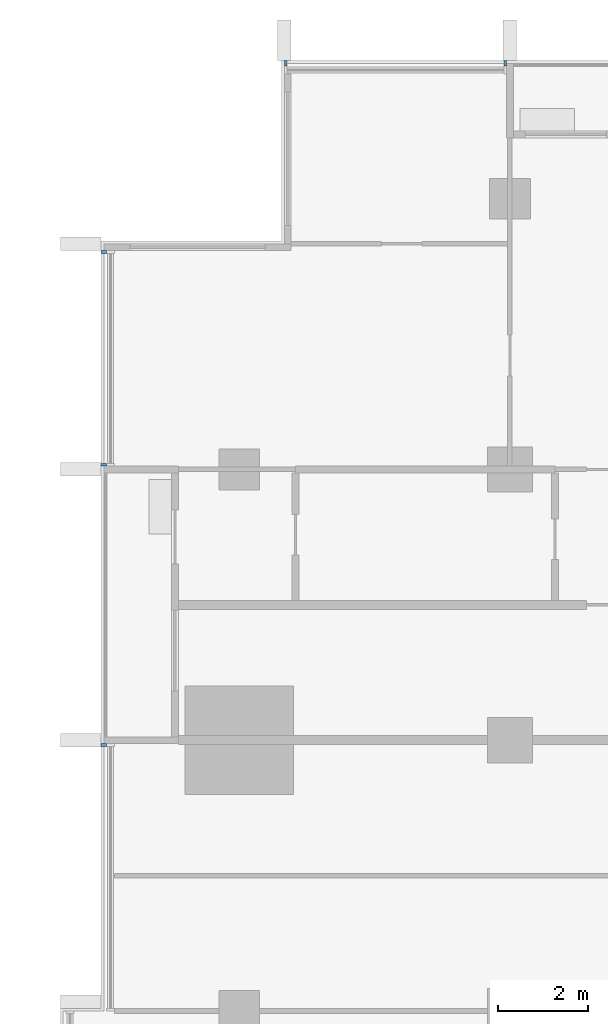
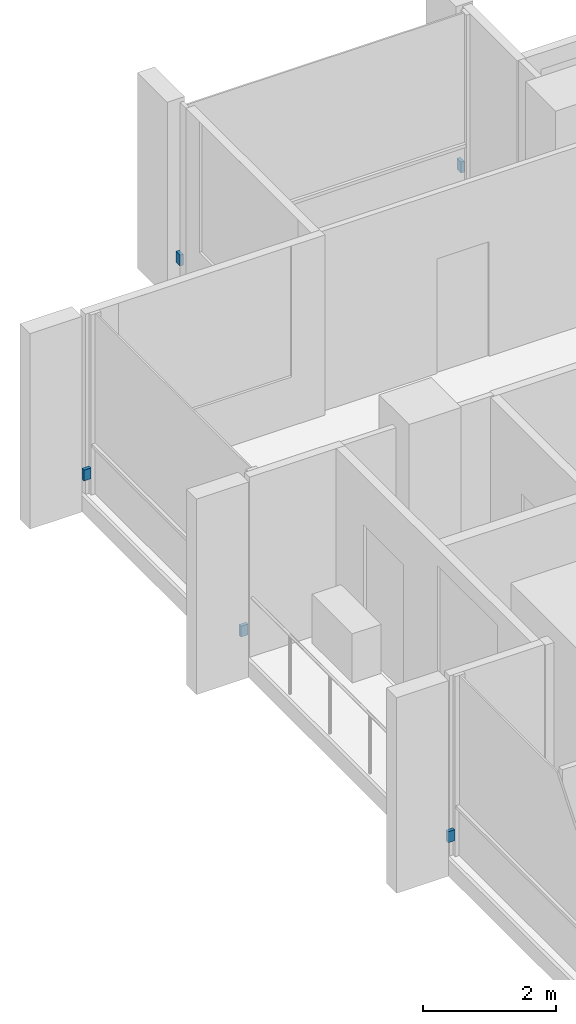
# One storey, part 14 of 16: 5 discrete accessories.
"""IFC4 building model written with IfcOpenShell, lengths in metres."""

from ifc_helpers import new_model, si_unit, direction, frame, origin, origin_2d, place, context, subcontext, project, spatial, rectangle, extrude, material, type_object, element, save


model = new_model("IFC4")

# Units and contexts
model_context = context("Model", 3, precision=1e-05, world=origin(), true_north=direction((0.0, 1.0)))
body_context = subcontext(model_context, "Body", "Model", "MODEL_VIEW")
ifc_project = project(units=[si_unit("LENGTHUNIT", "METRE"), si_unit("AREAUNIT", "SQUARE_METRE"), si_unit("VOLUMEUNIT", "CUBIC_METRE"), si_unit("PLANEANGLEUNIT", "RADIAN"), si_unit("MASSUNIT", "GRAM", prefix="KILO")], contexts=[model_context])

# Site, building, storey
site_placement = place(None, origin())
site = spatial("IfcSite", under=ifc_project, at=site_placement, CompositionType="ELEMENT")
building_placement = place(site_placement, origin())
building = spatial("IfcBuilding", under=site, at=building_placement, Name="Finial Court Residences", CompositionType="ELEMENT")
storey_placement = place(building_placement, frame((0.0, 0.0, 185.300048828125)))
storey = spatial("IfcBuildingStorey", under=building, at=storey_placement, Name="L46", CompositionType="ELEMENT", Elevation=185.300048828125)

# Discrete accessories
ifc_material = material(Name="Stainless steel 316", Category="steel")
discrete_accessory_type = type_object("IfcDiscreteAccessoryType", Name="Fin bracket, stainless steel 60 x 122 x 200", PredefinedType="BRACKET", material=ifc_material)
for number, where, z_axis, x_axis, name in (
    (1, (-15.469970703125, 22.498779296875, 0.2998046875), (0.0, 0.0, 1.0), (1.0, 0.0, 0.0), "E-L46-FIN-N1-BRK"),
    (2, (-10.60498046875, 22.498779296875, 0.2998046875), (0.0, 0.0, 1.0), (1.0, 0.0, 0.0), "E-L46-FIN-N2-BRK"),
):
    element("IfcDiscreteAccessory", number, at=place(storey_placement, frame(where, z_axis=z_axis, x_axis=x_axis)), inside=storey, type_object=discrete_accessory_type, Name=name, PredefinedType="BRACKET", context=body_context, shape_type="SweptSolid", body=[
        extrude(rectangle(XDim=0.06005859375, YDim=0.12255859375, at=origin_2d()), origin(), (0.0, 0.0, 1.0), 0.199951171875),
    ])
for number, where, z_axis, x_axis, name in (
    (3, (-19.498779296875, 7.39501953125, 0.2998046875), (0.0, 0.0, 1.0), (1.0, 0.0, 0.0), "E-L46-FIN-W26-BRK"),
    (4, (-19.498779296875, 13.60498046875, 0.2998046875), (0.0, 0.0, 1.0), (1.0, 0.0, 0.0), "E-L46-FIN-W27-BRK"),
    (5, (-19.498779296875, 18.320068359375, 0.2998046875), (0.0, 0.0, 1.0), (1.0, 0.0, 0.0), "E-L46-FIN-W28-BRK"),
):
    element("IfcDiscreteAccessory", number, at=place(storey_placement, frame(where, z_axis=z_axis, x_axis=x_axis)), inside=storey, type_object=discrete_accessory_type, Name=name, PredefinedType="BRACKET", context=body_context, shape_type="SweptSolid", body=[
        extrude(rectangle(XDim=0.12255859375, YDim=0.06005859375, at=origin_2d()), origin(), (0.0, 0.0, 1.0), 0.199951171875),
    ])

save(model, "model.ifc")
